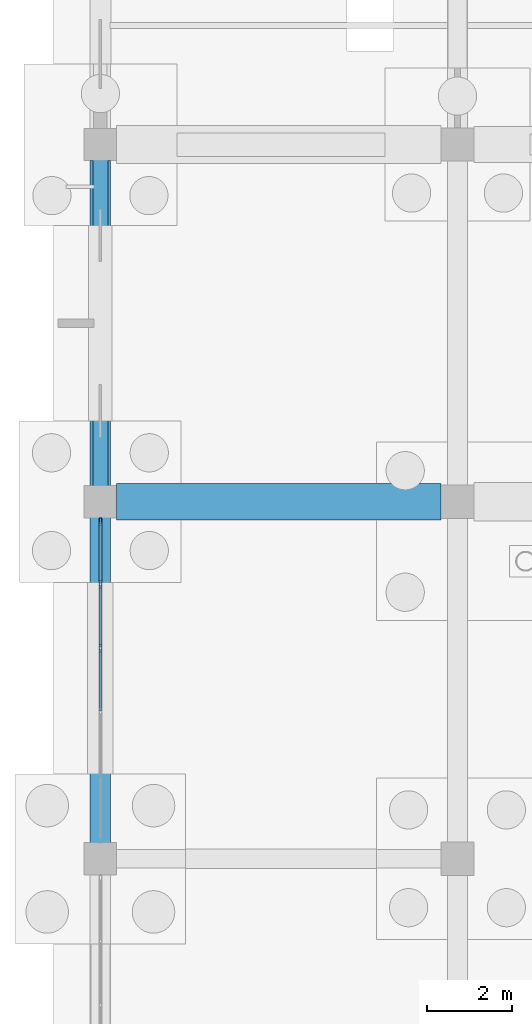
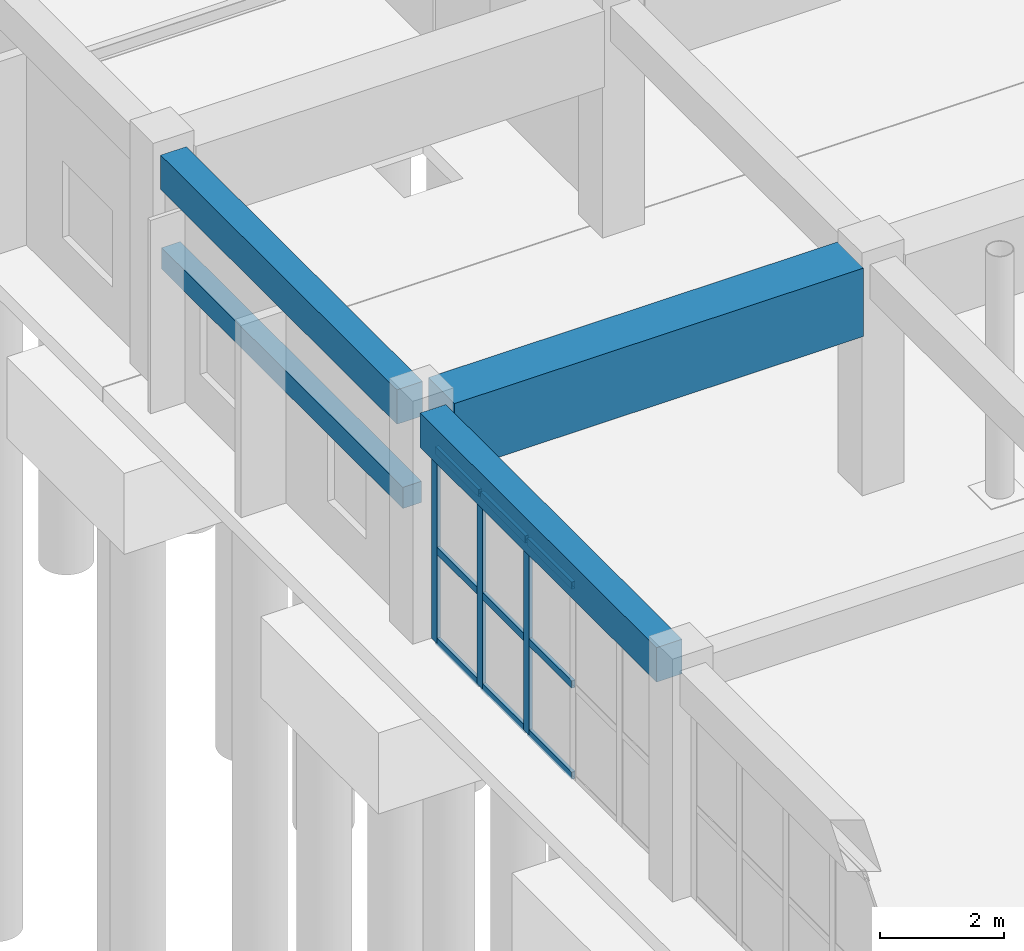
# One storey, part 131 of 192: 12 members, 4 beams, 1 element without a shape of its own.
"""IFC4 building model written with IfcOpenShell, lengths in metres."""

from ifc_helpers import new_model, si_unit, direction, frame, origin, origin_2d, place, context, subcontext, project, spatial, rectangle, hollow_rectangle, extrude, material, layer, layer_set, material_profile, profile_set, type_object, element, aggregate, save


model = new_model("IFC4")

# Units and contexts
model_context = context("Model", 3, precision=1e-05, world=origin(), true_north=direction((0.0, 1.0)))
body_context = subcontext(model_context, "Body", "Model", "MODEL_VIEW")
ifc_project = project(units=[si_unit("LENGTHUNIT", "METRE"), si_unit("AREAUNIT", "SQUARE_METRE"), si_unit("VOLUMEUNIT", "CUBIC_METRE"), si_unit("PLANEANGLEUNIT", "RADIAN"), si_unit("MASSUNIT", "GRAM", prefix="KILO")], contexts=[model_context])

# Site, building, storey
site_placement = place(None, origin())
site = spatial("IfcSite", under=ifc_project, at=site_placement, CompositionType="ELEMENT")
building_placement = place(site_placement, origin())
building = spatial("IfcBuilding", under=site, at=building_placement, Name="Trelvath General Hospital", CompositionType="ELEMENT")
storey_placement = place(building_placement, origin())
storey = spatial("IfcBuildingStorey", under=building, at=storey_placement, Name="L00", CompositionType="ELEMENT", Elevation=0.0)

# Beams
ifc_material_1 = material(Name="Concrete C35/45", Category="concrete")
ifc_material_profile_1 = material_profile(ifc_material_1, rectangle(XDim=0.47998046875, YDim=0.679931640625, at=origin_2d()), Name="RCB480x680")
ifc_profile_set_1 = profile_set([ifc_material_profile_1], Name="Concrete C35/45")
beam_type_1 = type_object("IfcBeamType", Name="Beam RC480x680", PredefinedType="BEAM", material=ifc_profile_set_1)
beam_1_placement = place(storey_placement, frame((134.39990234375, 59.175048828125, 4.179931640625), z_axis=(0.0, 1.0, 0.0), x_axis=(-1.0, 0.0, 0.0)))
element("IfcBeam", 1, at=beam_1_placement, inside=storey, type_object=beam_type_1, Name="Grid Beam BY-016H", PredefinedType="BEAM", context=body_context, shape_type="SweptSolid", body=[
    extrude(rectangle(XDim=0.47998046875, YDim=0.679931640625, at=origin_2d()), origin(), (0.0, 0.0, 1.0), 7.64990234375),
])
beam_2_placement = place(storey_placement, frame((134.39990234375, 67.574951171875, 4.179931640625), z_axis=(0.0, 1.0, 0.0), x_axis=(-1.0, 0.0, 0.0)))
element("IfcBeam", 2, at=beam_2_placement, inside=storey, type_object=beam_type_1, Name="Grid Beam BY-016I", PredefinedType="BEAM", context=body_context, shape_type="SweptSolid", body=[
    extrude(rectangle(XDim=0.47998046875, YDim=0.679931640625, at=origin_2d()), origin(), (0.0, 0.0, 1.0), 7.650146484375),
])

# Curtain wall, members
ifc_material_2 = material(Name="Anodised aluminium and low-E glass", Category="aluminium")
ifc_layer = layer(ifc_material_2, 0.179931640625)
ifc_layer_set = layer_set([ifc_layer], Name="Anodised aluminium and low-E glass")
curtain_wall_type = type_object("IfcCurtainWallType", Name="CW Facade 753 382 18", PredefinedType="USERDEFINED", material=ifc_layer_set)
curtain_wall_placement = place(storey_placement, origin())
curtain_wall = element("IfcCurtainWall", 3, at=curtain_wall_placement, inside=storey, type_object=curtain_wall_type, Name="Facade Curtain Wall CW-008", ObjectType="Unitised Glazed Curtain Wall", PredefinedType="USERDEFINED")
ifc_material_3 = material(Name="Anodised aluminium", Category="aluminium")
ifc_material_profile_2 = material_profile(ifc_material_3, hollow_rectangle(XDim=0.06494140625, YDim=0.179931640625, WallThickness=0.0048828125, at=origin_2d()), Name="RHS65x180x5")
ifc_profile_set_2 = profile_set([ifc_material_profile_2], Name="Anodised aluminium")
member_type_1 = type_object("IfcMemberType", Name="CurtainMullion 65x180", PredefinedType="MULLION", material=ifc_profile_set_2)
member_1_placement = place(storey_placement, frame((134.39990234375, 63.7529296875, 0.0), z_axis=(0.0, 0.0, 1.0), x_axis=(-1.0, 0.0, 0.0)))
member_1 = element("IfcMember", 4, at=member_1_placement, type_object=member_type_1, Name="CW-008 mullion 4", PredefinedType="MULLION", context=body_context, shape_type="SweptSolid", body=[
    extrude(hollow_rectangle(XDim=0.06494140625, YDim=0.179931640625, WallThickness=0.0048828125, at=origin_2d()), origin(), (0.0, 0.0, 1.0), 3.820068359375),
])
member_2_placement = place(storey_placement, frame((134.39990234375, 65.259033203125, 0.0), z_axis=(0.0, 0.0, 1.0), x_axis=(-1.0, 0.0, 0.0)))
member_2 = element("IfcMember", 5, at=member_2_placement, type_object=member_type_1, Name="CW-008 mullion 5", PredefinedType="MULLION", context=body_context, shape_type="SweptSolid", body=[
    extrude(hollow_rectangle(XDim=0.06494140625, YDim=0.179931640625, WallThickness=0.0048828125, at=origin_2d()), origin(), (0.0, 0.0, 1.0), 3.820068359375),
])
member_3_placement = place(storey_placement, frame((134.39990234375, 66.732421875, 0.0), z_axis=(0.0, 0.0, 1.0), x_axis=(-1.0, 0.0, 0.0)))
member_3 = element("IfcMember", 6, at=member_3_placement, type_object=member_type_1, Name="CW-008 mullion 6", PredefinedType="MULLION", context=body_context, shape_type="SweptSolid", body=[
    extrude(hollow_rectangle(XDim=0.06494140625, YDim=0.179931640625, WallThickness=0.0048828125, at=origin_2d()), origin(), (0.0, 0.0, 1.0), 3.820068359375),
])
ifc_material_4 = material(Name="Anodised aluminium", Category="aluminium")
ifc_material_profile_3 = material_profile(ifc_material_4, hollow_rectangle(XDim=0.06494140625, YDim=0.14501953125, WallThickness=0.00390625, at=origin_2d()), Name="RHS65x145x4")
ifc_profile_set_3 = profile_set([ifc_material_profile_3], Name="Anodised aluminium")
member_type_2 = type_object("IfcMemberType", Name="CurtainTransom 65x145", PredefinedType="USERDEFINED", material=ifc_profile_set_3)
member_4_placement = place(storey_placement, frame((134.39990234375, 62.279541015625, 0.032470703125), z_axis=(0.0, 1.0, 0.0), x_axis=(-1.0, 0.0, 0.0)))
member_4 = element("IfcMember", 7, at=member_4_placement, type_object=member_type_2, Name="CW-008 transom 3.1", ObjectType="TRANSOM", PredefinedType="USERDEFINED", context=body_context, shape_type="SweptSolid", body=[
    extrude(hollow_rectangle(XDim=0.06494140625, YDim=0.14501953125, WallThickness=0.00390625, at=origin_2d()), origin(), (0.0, 0.0, 1.0), 1.44091796875),
])
member_5_placement = place(storey_placement, frame((134.39990234375, 62.279541015625, 1.833984375), z_axis=(0.0, 1.0, 0.0), x_axis=(-1.0, 0.0, 0.0)))
member_5 = element("IfcMember", 8, at=member_5_placement, type_object=member_type_2, Name="CW-008 transom 3.2", ObjectType="TRANSOM", PredefinedType="USERDEFINED", context=body_context, shape_type="SweptSolid", body=[
    extrude(hollow_rectangle(XDim=0.06494140625, YDim=0.14501953125, WallThickness=0.00390625, at=origin_2d()), origin(), (0.0, 0.0, 1.0), 1.44091796875),
])
member_6_placement = place(storey_placement, frame((134.39990234375, 62.279541015625, 3.78759765625), z_axis=(0.0, 1.0, 0.0), x_axis=(-1.0, 0.0, 0.0)))
member_6 = element("IfcMember", 9, at=member_6_placement, type_object=member_type_2, Name="CW-008 transom 3.3", ObjectType="TRANSOM", PredefinedType="USERDEFINED", context=body_context, shape_type="SweptSolid", body=[
    extrude(hollow_rectangle(XDim=0.06494140625, YDim=0.14501953125, WallThickness=0.00390625, at=origin_2d()), origin(), (0.0, 0.0, 1.0), 1.44091796875),
])
member_7_placement = place(storey_placement, frame((134.39990234375, 63.785400390625, 0.032470703125), z_axis=(0.0, 1.0, 0.0), x_axis=(-1.0, 0.0, 0.0)))
member_7 = element("IfcMember", 10, at=member_7_placement, type_object=member_type_2, Name="CW-008 transom 4.1", ObjectType="TRANSOM", PredefinedType="USERDEFINED", context=body_context, shape_type="SweptSolid", body=[
    extrude(hollow_rectangle(XDim=0.06494140625, YDim=0.14501953125, WallThickness=0.00390625, at=origin_2d()), origin(), (0.0, 0.0, 1.0), 1.441162109375),
])
member_8_placement = place(storey_placement, frame((134.39990234375, 63.785400390625, 1.833984375), z_axis=(0.0, 1.0, 0.0), x_axis=(-1.0, 0.0, 0.0)))
member_8 = element("IfcMember", 11, at=member_8_placement, type_object=member_type_2, Name="CW-008 transom 4.2", ObjectType="TRANSOM", PredefinedType="USERDEFINED", context=body_context, shape_type="SweptSolid", body=[
    extrude(hollow_rectangle(XDim=0.06494140625, YDim=0.14501953125, WallThickness=0.00390625, at=origin_2d()), origin(), (0.0, 0.0, 1.0), 1.441162109375),
])
member_9_placement = place(storey_placement, frame((134.39990234375, 63.785400390625, 3.78759765625), z_axis=(0.0, 1.0, 0.0), x_axis=(-1.0, 0.0, 0.0)))
member_9 = element("IfcMember", 12, at=member_9_placement, type_object=member_type_2, Name="CW-008 transom 4.3", ObjectType="TRANSOM", PredefinedType="USERDEFINED", context=body_context, shape_type="SweptSolid", body=[
    extrude(hollow_rectangle(XDim=0.06494140625, YDim=0.14501953125, WallThickness=0.00390625, at=origin_2d()), origin(), (0.0, 0.0, 1.0), 1.441162109375),
])
member_10_placement = place(storey_placement, frame((134.39990234375, 65.29150390625, 0.032470703125), z_axis=(0.0, 1.0, 0.0), x_axis=(-1.0, 0.0, 0.0)))
member_10 = element("IfcMember", 13, at=member_10_placement, type_object=member_type_2, Name="CW-008 transom 5.1", ObjectType="TRANSOM", PredefinedType="USERDEFINED", context=body_context, shape_type="SweptSolid", body=[
    extrude(hollow_rectangle(XDim=0.06494140625, YDim=0.14501953125, WallThickness=0.00390625, at=origin_2d()), origin(), (0.0, 0.0, 1.0), 1.408447265625),
])
member_11_placement = place(storey_placement, frame((134.39990234375, 65.29150390625, 1.833984375), z_axis=(0.0, 1.0, 0.0), x_axis=(-1.0, 0.0, 0.0)))
member_11 = element("IfcMember", 14, at=member_11_placement, type_object=member_type_2, Name="CW-008 transom 5.2", ObjectType="TRANSOM", PredefinedType="USERDEFINED", context=body_context, shape_type="SweptSolid", body=[
    extrude(hollow_rectangle(XDim=0.06494140625, YDim=0.14501953125, WallThickness=0.00390625, at=origin_2d()), origin(), (0.0, 0.0, 1.0), 1.408447265625),
])
member_12_placement = place(storey_placement, frame((134.39990234375, 65.29150390625, 3.78759765625), z_axis=(0.0, 1.0, 0.0), x_axis=(-1.0, 0.0, 0.0)))
member_12 = element("IfcMember", 15, at=member_12_placement, type_object=member_type_2, Name="CW-008 transom 5.3", ObjectType="TRANSOM", PredefinedType="USERDEFINED", context=body_context, shape_type="SweptSolid", body=[
    extrude(hollow_rectangle(XDim=0.06494140625, YDim=0.14501953125, WallThickness=0.00390625, at=origin_2d()), origin(), (0.0, 0.0, 1.0), 1.408447265625),
])
aggregate(curtain_wall, [member_1, member_2, member_3, member_4, member_5, member_6, member_7, member_8, member_9, member_10, member_11, member_12])

# Beams
ifc_material_5 = material(Name="Precast concrete C40/50", Category="concrete")
ifc_material_profile_4 = material_profile(ifc_material_5, rectangle(XDim=0.35009765625, YDim=0.419921875, at=origin_2d()), Name="PCL350x420")
ifc_profile_set_4 = profile_set([ifc_material_profile_4], Name="Precast concrete C40/50")
beam_type_2 = type_object("IfcBeamType", Name="Lintel PC350x420", PredefinedType="LINTEL", material=ifc_profile_set_4)
beam_3_placement = place(storey_placement, frame((134.39990234375, 67.4951171875, 2.409912109375), z_axis=(0.0, 1.0, 0.0), x_axis=(-1.0, 0.0, 0.0)))
element("IfcBeam", 16, at=beam_3_placement, inside=storey, type_object=beam_type_2, Name="Precast Window Brow Lintel L00-87", PredefinedType="LINTEL", context=body_context, shape_type="SweptSolid", body=[
    extrude(rectangle(XDim=0.35009765625, YDim=0.419921875, at=origin_2d()), origin(), (0.0, 0.0, 1.0), 7.809814453125),
])
ifc_material_6 = material(Name="Concrete C45/55", Category="concrete")
ifc_material_profile_5 = material_profile(ifc_material_6, rectangle(XDim=0.85009765625, YDim=1.35009765625, at=origin_2d()), Name="RCB850x1350")
ifc_profile_set_5 = profile_set([ifc_material_profile_5], Name="Concrete C45/55")
beam_type_3 = type_object("IfcBeamType", Name="TransferGirder RC850x1350", PredefinedType="T_BEAM", material=ifc_profile_set_5)
beam_4_placement = place(storey_placement, frame((134.77490234375, 67.199951171875, 3.844970703125), z_axis=(1.0, 0.0, 0.0), x_axis=(0.0, 1.0, 0.0)))
element("IfcBeam", 17, at=beam_4_placement, inside=storey, type_object=beam_type_3, Name="Transfer Girder TG-02 L00", PredefinedType="T_BEAM", context=body_context, shape_type="SweptSolid", body=[
    extrude(rectangle(XDim=0.85009765625, YDim=1.35009765625, at=origin_2d()), origin(), (0.0, 0.0, 1.0), 7.64013671875),
])

save(model, "model.ifc")
